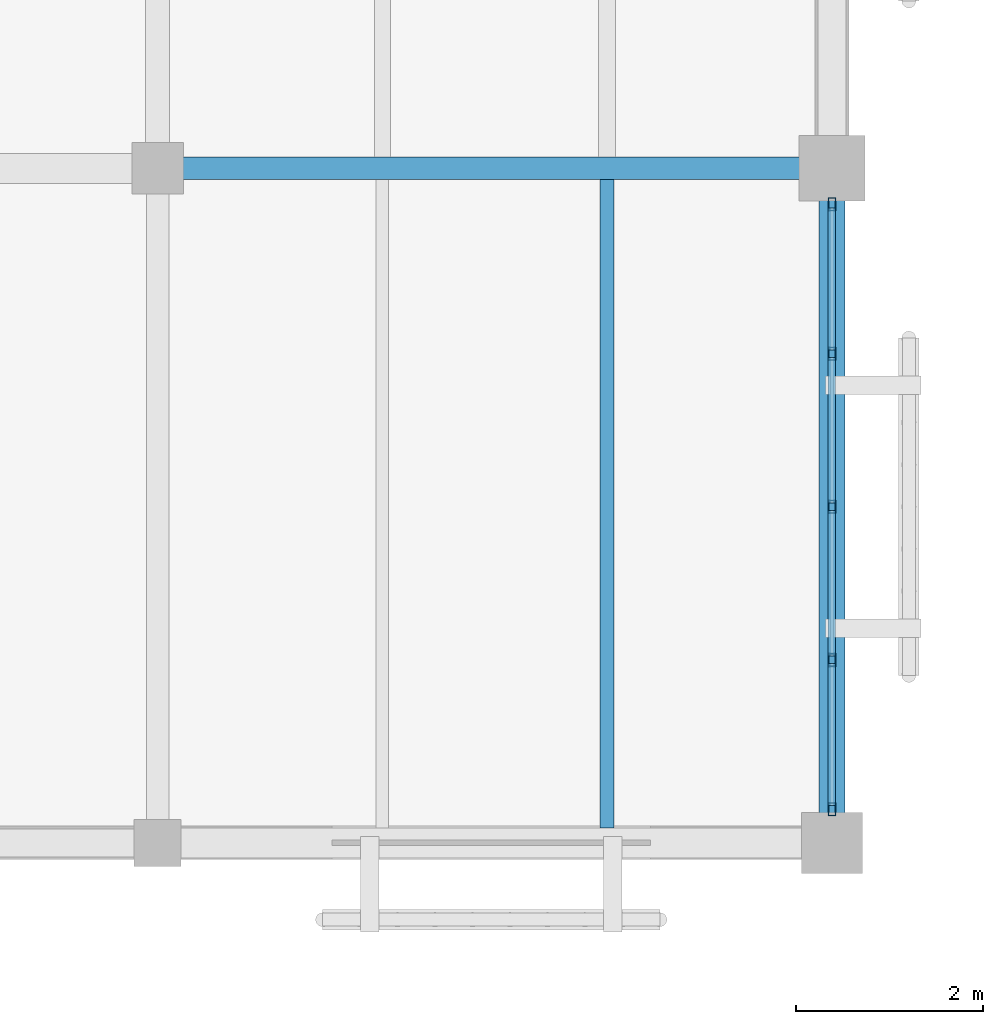
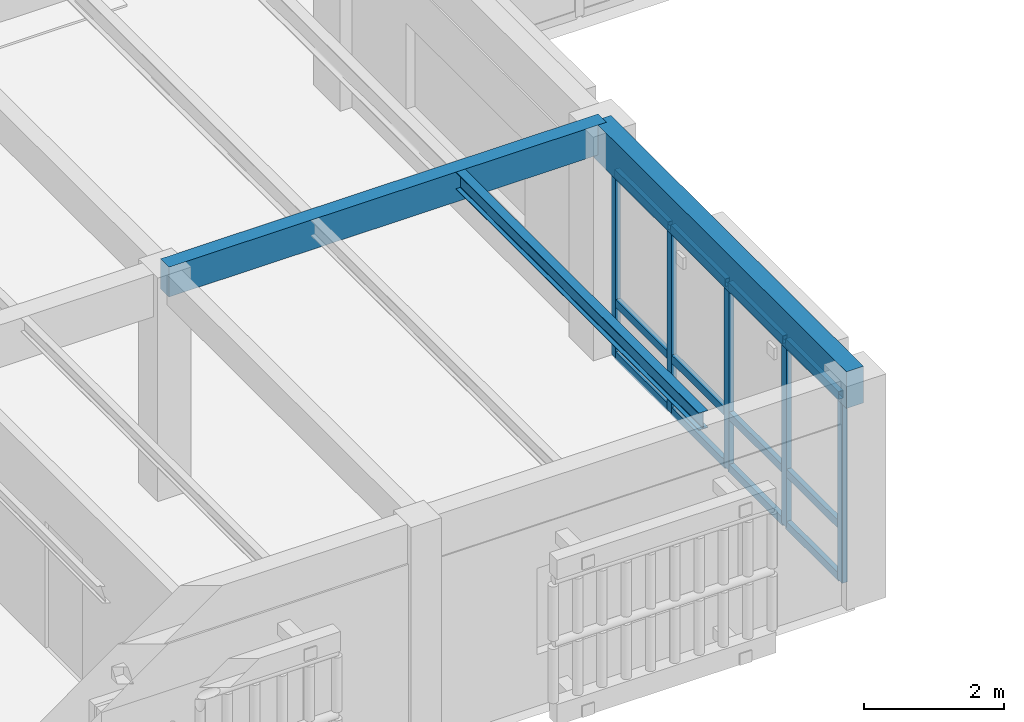
# One storey, part 20 of 170: 17 members, 3 beams, 1 element without a shape of its own.
"""IFC4 building model written with IfcOpenShell, lengths in metres."""

from ifc_helpers import new_model, si_unit, direction, frame, origin, origin_2d, place, context, subcontext, project, spatial, rectangle, hollow_rectangle, i_section, extrude, material, layer, layer_set, material_profile, profile_set, type_object, element, aggregate, save


model = new_model("IFC4")

# Units and contexts
model_context = context("Model", 3, precision=1e-05, world=origin(), true_north=direction((0.0, 1.0)))
body_context = subcontext(model_context, "Body", "Model", "MODEL_VIEW")
ifc_project = project(units=[si_unit("LENGTHUNIT", "METRE"), si_unit("AREAUNIT", "SQUARE_METRE"), si_unit("VOLUMEUNIT", "CUBIC_METRE"), si_unit("PLANEANGLEUNIT", "RADIAN"), si_unit("MASSUNIT", "GRAM", prefix="KILO")], contexts=[model_context])

# Site, building, storey
site_placement = place(None, origin())
site = spatial("IfcSite", under=ifc_project, at=site_placement, CompositionType="ELEMENT")
building_placement = place(site_placement, origin())
building = spatial("IfcBuilding", under=site, at=building_placement, Name="Mazaris Harbour Polytechnic", CompositionType="ELEMENT")
storey_placement = place(building_placement, frame((0.0, 0.0, 5.39990234375)))
storey = spatial("IfcBuildingStorey", under=building, at=storey_placement, Name="L01", CompositionType="ELEMENT", Elevation=5.39990234375)

# Curtain wall, members
ifc_material_1 = material(Name="Anodised Bronze Aluminium and Low-E Glass", Category="aluminium")
ifc_layer = layer(ifc_material_1, 0.159912109375, Name="Anodised Bronze Aluminium and Low-E Glass")
ifc_layer_set = layer_set([ifc_layer], Name="Anodised Bronze Aluminium and Low-E Glass")
curtain_wall_type = type_object("IfcCurtainWallType", Name="Cloister Court Curtain Wall", PredefinedType="NOTDEFINED", material=ifc_layer_set)
curtain_wall_placement = place(storey_placement, origin())
curtain_wall = element("IfcCurtainWall", 1, at=curtain_wall_placement, inside=storey, type_object=curtain_wall_type, Name="V4 L01 Curtain Wall 111", PredefinedType="NOTDEFINED")
ifc_material_2 = material(Name="Anodised Bronze Steel S355", Category="steel")
ifc_material_profile_1 = material_profile(ifc_material_2, hollow_rectangle(XDim=0.080078125, YDim=0.139892578125, WallThickness=0.00634765625, at=origin_2d()), Name="RHS 80x140x6.3")
ifc_profile_set_1 = profile_set([ifc_material_profile_1], Name="Anodised Bronze Steel S355")
member_type_1 = type_object("IfcMemberType", Name="Curtain Mullion RHS80x140", PredefinedType="MULLION", material=ifc_profile_set_1)
member_1_placement = place(storey_placement, frame((43.199951171875, 14.01806640625, 0.0), z_axis=(0.0, 0.0, 1.0), x_axis=(1.0, 0.0, 0.0)))
member_1 = element("IfcMember", 2, at=member_1_placement, type_object=member_type_1, Name="CW-02 mullion 1", PredefinedType="MULLION", context=body_context, shape_type="SweptSolid", body=[
    extrude(hollow_rectangle(XDim=0.080078125, YDim=0.139892578125, WallThickness=0.00634765625, at=origin_2d()), origin(), (0.0, 0.0, 1.0), 3.239990234375),
])
member_2_placement = place(storey_placement, frame((43.199951171875, 12.4228515625, 0.0), z_axis=(0.0, 0.0, 1.0), x_axis=(1.0, 0.0, 0.0)))
member_2 = element("IfcMember", 3, at=member_2_placement, type_object=member_type_1, Name="CW-02 mullion 2", PredefinedType="MULLION", context=body_context, shape_type="SweptSolid", body=[
    extrude(hollow_rectangle(XDim=0.080078125, YDim=0.139892578125, WallThickness=0.00634765625, at=origin_2d()), origin(), (0.0, 0.0, 1.0), 3.239990234375),
])
member_3_placement = place(storey_placement, frame((43.199951171875, 10.78759765625, 0.0), z_axis=(0.0, 0.0, 1.0), x_axis=(1.0, 0.0, 0.0)))
member_3 = element("IfcMember", 4, at=member_3_placement, type_object=member_type_1, Name="CW-02 mullion 3", PredefinedType="MULLION", context=body_context, shape_type="SweptSolid", body=[
    extrude(hollow_rectangle(XDim=0.080078125, YDim=0.139892578125, WallThickness=0.00634765625, at=origin_2d()), origin(), (0.0, 0.0, 1.0), 3.239990234375),
])
member_4_placement = place(storey_placement, frame((43.199951171875, 9.15234375, 0.0), z_axis=(0.0, 0.0, 1.0), x_axis=(1.0, 0.0, 0.0)))
member_4 = element("IfcMember", 5, at=member_4_placement, type_object=member_type_1, Name="CW-02 mullion 4", PredefinedType="MULLION", context=body_context, shape_type="SweptSolid", body=[
    extrude(hollow_rectangle(XDim=0.080078125, YDim=0.139892578125, WallThickness=0.00634765625, at=origin_2d()), origin(), (0.0, 0.0, 1.0), 3.239990234375),
])
member_5_placement = place(storey_placement, frame((43.199951171875, 7.556884765625, 0.0), z_axis=(0.0, 0.0, 1.0), x_axis=(1.0, 0.0, 0.0)))
member_5 = element("IfcMember", 6, at=member_5_placement, type_object=member_type_1, Name="CW-02 mullion 5", PredefinedType="MULLION", context=body_context, shape_type="SweptSolid", body=[
    extrude(hollow_rectangle(XDim=0.080078125, YDim=0.139892578125, WallThickness=0.00634765625, at=origin_2d()), origin(), (0.0, 0.0, 1.0), 3.239990234375),
])
ifc_material_3 = material(Name="Anodised Bronze Steel S355", Category="steel")
ifc_material_profile_2 = material_profile(ifc_material_3, hollow_rectangle(XDim=0.080078125, YDim=0.139892578125, WallThickness=0.00634765625, at=origin_2d()), Name="RHS 80x140x6.3")
ifc_profile_set_2 = profile_set([ifc_material_profile_2], Name="Anodised Bronze Steel S355")
member_type_2 = type_object("IfcMemberType", Name="Curtain Transom RHS80x140", PredefinedType="USERDEFINED", material=ifc_profile_set_2)
member_6_placement = place(storey_placement, frame((43.199951171875, 13.97802734375, 0.0400390625), z_axis=(0.0, -1.0, 0.0), x_axis=(1.0, 0.0, 0.0)))
member_6 = element("IfcMember", 7, at=member_6_placement, type_object=member_type_2, Name="CW-02 transom 1.1", ObjectType="TRANSOM", PredefinedType="USERDEFINED", context=body_context, shape_type="SweptSolid", body=[
    extrude(hollow_rectangle(XDim=0.080078125, YDim=0.139892578125, WallThickness=0.00634765625, at=origin_2d()), origin(), (0.0, 0.0, 1.0), 1.515380859375),
])
member_7_placement = place(storey_placement, frame((43.199951171875, 13.97802734375, 0.9501953125), z_axis=(0.0, -1.0, 0.0), x_axis=(1.0, 0.0, 0.0)))
member_7 = element("IfcMember", 8, at=member_7_placement, type_object=member_type_2, Name="CW-02 transom 1.2", ObjectType="TRANSOM", PredefinedType="USERDEFINED", context=body_context, shape_type="SweptSolid", body=[
    extrude(hollow_rectangle(XDim=0.080078125, YDim=0.139892578125, WallThickness=0.00634765625, at=origin_2d()), origin(), (0.0, 0.0, 1.0), 1.515380859375),
])
member_8_placement = place(storey_placement, frame((43.199951171875, 13.97802734375, 3.2001953125), z_axis=(0.0, -1.0, 0.0), x_axis=(1.0, 0.0, 0.0)))
member_8 = element("IfcMember", 9, at=member_8_placement, type_object=member_type_2, Name="CW-02 transom 1.3", ObjectType="TRANSOM", PredefinedType="USERDEFINED", context=body_context, shape_type="SweptSolid", body=[
    extrude(hollow_rectangle(XDim=0.080078125, YDim=0.139892578125, WallThickness=0.00634765625, at=origin_2d()), origin(), (0.0, 0.0, 1.0), 1.515380859375),
])
member_9_placement = place(storey_placement, frame((43.199951171875, 12.3828125, 0.0400390625), z_axis=(0.0, -1.0, 0.0), x_axis=(1.0, 0.0, 0.0)))
member_9 = element("IfcMember", 10, at=member_9_placement, type_object=member_type_2, Name="CW-02 transom 2.1", ObjectType="TRANSOM", PredefinedType="USERDEFINED", context=body_context, shape_type="SweptSolid", body=[
    extrude(hollow_rectangle(XDim=0.080078125, YDim=0.139892578125, WallThickness=0.00634765625, at=origin_2d()), origin(), (0.0, 0.0, 1.0), 1.555419921875),
])
member_10_placement = place(storey_placement, frame((43.199951171875, 12.3828125, 0.9501953125), z_axis=(0.0, -1.0, 0.0), x_axis=(1.0, 0.0, 0.0)))
member_10 = element("IfcMember", 11, at=member_10_placement, type_object=member_type_2, Name="CW-02 transom 2.2", ObjectType="TRANSOM", PredefinedType="USERDEFINED", context=body_context, shape_type="SweptSolid", body=[
    extrude(hollow_rectangle(XDim=0.080078125, YDim=0.139892578125, WallThickness=0.00634765625, at=origin_2d()), origin(), (0.0, 0.0, 1.0), 1.555419921875),
])
member_11_placement = place(storey_placement, frame((43.199951171875, 12.3828125, 3.2001953125), z_axis=(0.0, -1.0, 0.0), x_axis=(1.0, 0.0, 0.0)))
member_11 = element("IfcMember", 12, at=member_11_placement, type_object=member_type_2, Name="CW-02 transom 2.3", ObjectType="TRANSOM", PredefinedType="USERDEFINED", context=body_context, shape_type="SweptSolid", body=[
    extrude(hollow_rectangle(XDim=0.080078125, YDim=0.139892578125, WallThickness=0.00634765625, at=origin_2d()), origin(), (0.0, 0.0, 1.0), 1.555419921875),
])
member_12_placement = place(storey_placement, frame((43.199951171875, 10.74755859375, 0.0400390625), z_axis=(0.0, -1.0, 0.0), x_axis=(1.0, 0.0, 0.0)))
member_12 = element("IfcMember", 13, at=member_12_placement, type_object=member_type_2, Name="CW-02 transom 3.1", ObjectType="TRANSOM", PredefinedType="USERDEFINED", context=body_context, shape_type="SweptSolid", body=[
    extrude(hollow_rectangle(XDim=0.080078125, YDim=0.139892578125, WallThickness=0.00634765625, at=origin_2d()), origin(), (0.0, 0.0, 1.0), 1.555419921875),
])
member_13_placement = place(storey_placement, frame((43.199951171875, 10.74755859375, 0.9501953125), z_axis=(0.0, -1.0, 0.0), x_axis=(1.0, 0.0, 0.0)))
member_13 = element("IfcMember", 14, at=member_13_placement, type_object=member_type_2, Name="CW-02 transom 3.2", ObjectType="TRANSOM", PredefinedType="USERDEFINED", context=body_context, shape_type="SweptSolid", body=[
    extrude(hollow_rectangle(XDim=0.080078125, YDim=0.139892578125, WallThickness=0.00634765625, at=origin_2d()), origin(), (0.0, 0.0, 1.0), 1.555419921875),
])
member_14_placement = place(storey_placement, frame((43.199951171875, 10.74755859375, 3.2001953125), z_axis=(0.0, -1.0, 0.0), x_axis=(1.0, 0.0, 0.0)))
member_14 = element("IfcMember", 15, at=member_14_placement, type_object=member_type_2, Name="CW-02 transom 3.3", ObjectType="TRANSOM", PredefinedType="USERDEFINED", context=body_context, shape_type="SweptSolid", body=[
    extrude(hollow_rectangle(XDim=0.080078125, YDim=0.139892578125, WallThickness=0.00634765625, at=origin_2d()), origin(), (0.0, 0.0, 1.0), 1.555419921875),
])
member_15_placement = place(storey_placement, frame((43.199951171875, 9.1123046875, 0.0400390625), z_axis=(0.0, -1.0, 0.0), x_axis=(1.0, 0.0, 0.0)))
member_15 = element("IfcMember", 16, at=member_15_placement, type_object=member_type_2, Name="CW-02 transom 4.1", ObjectType="TRANSOM", PredefinedType="USERDEFINED", context=body_context, shape_type="SweptSolid", body=[
    extrude(hollow_rectangle(XDim=0.080078125, YDim=0.139892578125, WallThickness=0.00634765625, at=origin_2d()), origin(), (0.0, 0.0, 1.0), 1.515380859375),
])
member_16_placement = place(storey_placement, frame((43.199951171875, 9.1123046875, 0.9501953125), z_axis=(0.0, -1.0, 0.0), x_axis=(1.0, 0.0, 0.0)))
member_16 = element("IfcMember", 17, at=member_16_placement, type_object=member_type_2, Name="CW-02 transom 4.2", ObjectType="TRANSOM", PredefinedType="USERDEFINED", context=body_context, shape_type="SweptSolid", body=[
    extrude(hollow_rectangle(XDim=0.080078125, YDim=0.139892578125, WallThickness=0.00634765625, at=origin_2d()), origin(), (0.0, 0.0, 1.0), 1.515380859375),
])
member_17_placement = place(storey_placement, frame((43.199951171875, 9.1123046875, 3.2001953125), z_axis=(0.0, -1.0, 0.0), x_axis=(1.0, 0.0, 0.0)))
member_17 = element("IfcMember", 18, at=member_17_placement, type_object=member_type_2, Name="CW-02 transom 4.3", ObjectType="TRANSOM", PredefinedType="USERDEFINED", context=body_context, shape_type="SweptSolid", body=[
    extrude(hollow_rectangle(XDim=0.080078125, YDim=0.139892578125, WallThickness=0.00634765625, at=origin_2d()), origin(), (0.0, 0.0, 1.0), 1.515380859375),
])
aggregate(curtain_wall, [member_1, member_2, member_3, member_4, member_5, member_6, member_7, member_8, member_9, member_10, member_11, member_12, member_13, member_14, member_15, member_16, member_17])

# Beams
ifc_material_4 = material(Name="Glulam GL32h", Category="wood")
ifc_material_profile_3 = material_profile(ifc_material_4, rectangle(XDim=0.239990234375, YDim=0.52001953125, at=origin_2d()), Name="RECT240x520")
ifc_profile_set_3 = profile_set([ifc_material_profile_3], Name="Glulam GL32h")
beam_type_1 = type_object("IfcBeamType", Name="Glulam Girder 240x520", PredefinedType="BEAM", material=ifc_profile_set_3)
beam_1_placement = place(storey_placement, frame((36.0, 14.39990234375, 3.630126953125), z_axis=(1.0, 0.0, 0.0), x_axis=(0.0, 1.0, 0.0)))
element("IfcBeam", 19, at=beam_1_placement, inside=storey, type_object=beam_type_1, Name="V4 L01 Girder 1635", PredefinedType="BEAM", context=body_context, shape_type="SweptSolid", body=[
    extrude(rectangle(XDim=0.239990234375, YDim=0.52001953125, at=origin_2d()), origin(), (0.0, 0.0, 1.0), 7.199951171875),
])
ifc_material_5 = material(Name="Glulam GL32h", Category="wood")
ifc_material_profile_4 = material_profile(ifc_material_5, rectangle(XDim=0.280029296875, YDim=0.639892578125, at=origin_2d()), Name="RECT280x640")
ifc_profile_set_4 = profile_set([ifc_material_profile_4], Name="Glulam GL32h")
beam_type_2 = type_object("IfcBeamType", Name="Glulam Girder 280x640 Exterior", PredefinedType="BEAM", material=ifc_profile_set_4)
beam_2_placement = place(storey_placement, frame((43.199951171875, 7.199951171875, 3.570068359375), z_axis=(0.0, 1.0, 0.0), x_axis=(-1.0, 0.0, 0.0)))
element("IfcBeam", 20, at=beam_2_placement, inside=storey, type_object=beam_type_2, Name="V4 L01 Tie Girder 1762", PredefinedType="BEAM", context=body_context, shape_type="SweptSolid", body=[
    extrude(rectangle(XDim=0.280029296875, YDim=0.639892578125, at=origin_2d()), origin(), (0.0, 0.0, 1.0), 7.199951171875),
])
ifc_material_6 = material(Name="Steel S355", Category="steel")
ifc_material_profile_5 = material_profile(ifc_material_6, i_section(OverallWidth=0.14990234375, OverallDepth=0.300048828125, WebThickness=0.007080078125, FlangeThickness=0.0107421875, FilletRadius=0.014892578125, at=origin_2d()), Name="IPE 300")
ifc_profile_set_5 = profile_set([ifc_material_profile_5], Name="Steel S355")
beam_type_3 = type_object("IfcBeamType", Name="Steel Joist IPE300", PredefinedType="JOIST", material=ifc_profile_set_5)
beam_3_placement = place(storey_placement, frame((40.800048828125, 7.360107421875, 3.739990234375), z_axis=(0.0, 1.0, 0.0), x_axis=(-1.0, 0.0, 0.0)))
element("IfcBeam", 21, at=beam_3_placement, inside=storey, type_object=beam_type_3, Name="V4 L01 Floor Joist 1872", PredefinedType="JOIST", context=body_context, shape_type="SweptSolid", body=[
    extrude(i_section(OverallWidth=0.14990234375, OverallDepth=0.300048828125, WebThickness=0.007080078125, FlangeThickness=0.0107421875, FilletRadius=0.014892578125, at=origin_2d()), origin(), (0.0, 0.0, 1.0), 6.919921875),
])

save(model, "model.ifc")
